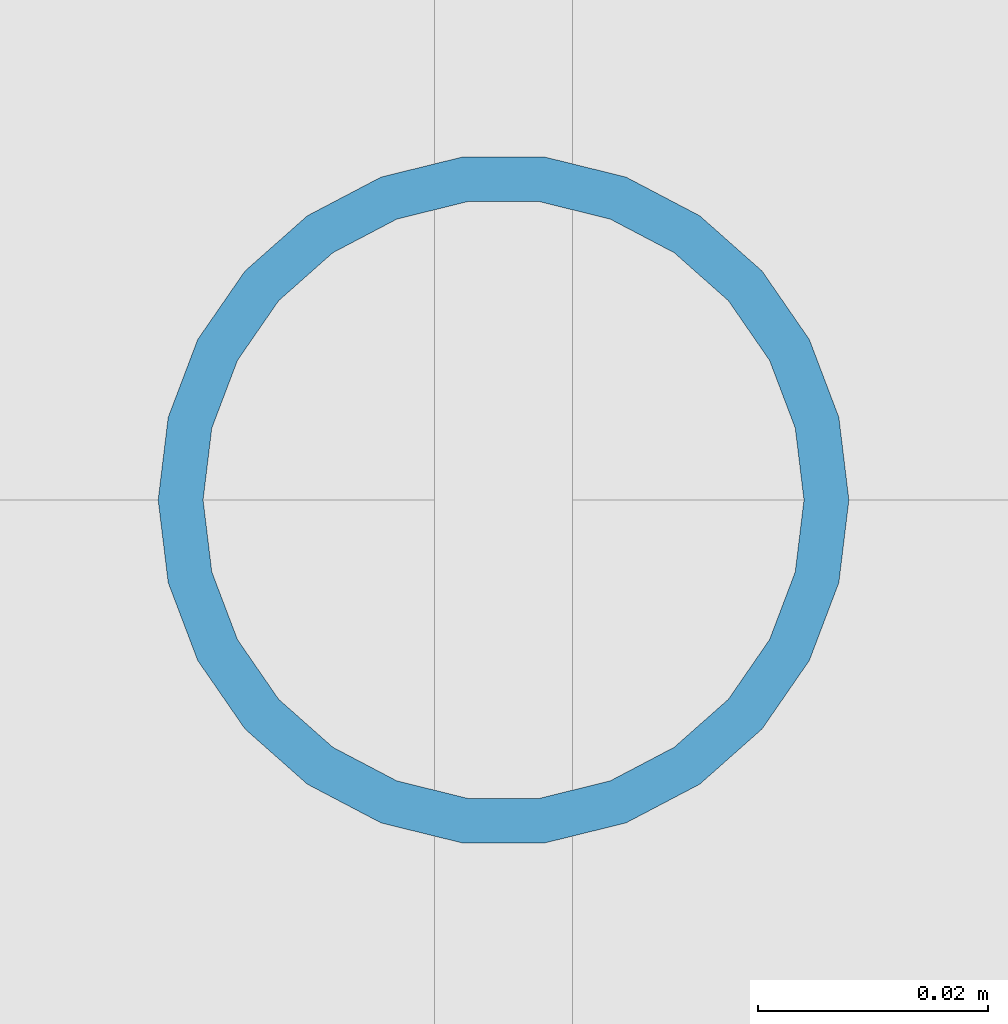
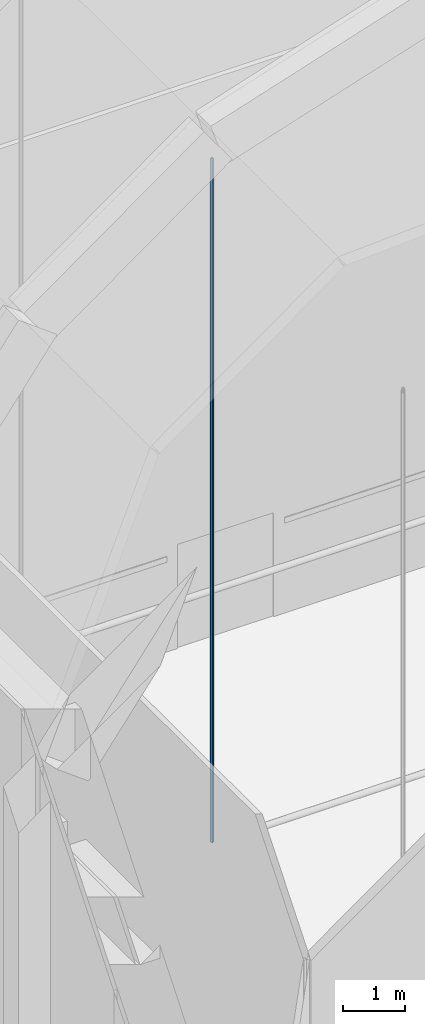
# One storey, part 16 of 55: 1 member.
"""IFC4 building model written with IfcOpenShell, lengths in metres."""

import ifcopenshell
import ifcopenshell.guid

model = None  # the IFC model being written
_history = None  # IfcOwnerHistory: only IFC2X3 demands one
_inside = {}  # id of a spatial element -> (the spatial element, [elements in it])
_under = {}  # id of a project, library or spatial element -> (it, [spatial elements below it])
_declared = {}  # id of a project -> (the project, [libraries it declares])
_typed = {}  # id of a type object -> (the type object, [elements of that type])
_made_of = {}  # id of a material, layer set ... -> (it, [elements and type objects made of it])


def new_model(schema):
    """Start an empty IFC model of exactly this schema.

    Asked for "IFC4X3", IfcOpenShell would pick the latest addendum, in which some entities
    have other attributes; the version numbers below select the first issue.
    IFC2X3 requires an IfcOwnerHistory on every rooted entity: one is made here for all.
    """
    global model, _history
    if schema == "IFC4X3":
        model = ifcopenshell.file(schema_version=(4, 3, 0, 0))
    else:
        model = ifcopenshell.file(schema=schema)
    _inside.clear()
    _under.clear()
    _declared.clear()
    _typed.clear()
    _made_of.clear()
    _history = None
    if model.schema == "IFC2X3":
        org = make("IfcOrganization", Name="unknown")
        user = make(
            "IfcPersonAndOrganization",
            ThePerson=make("IfcPerson", FamilyName="unknown"),
            TheOrganization=org,
        )
        app = make(
            "IfcApplication",
            ApplicationDeveloper=org,
            Version="unknown",
            ApplicationFullName="unknown",
            ApplicationIdentifier="unknown",
        )
        _history = make(
            "IfcOwnerHistory",
            OwningUser=user,
            OwningApplication=app,
            ChangeAction="ADDED",
            CreationDate=0,
        )
    return model


def make(cls, **values):
    """One entity of the class cls with the attributes given. An attribute that is None is left unset."""
    return model.create_entity(
        cls, **{name: value for name, value in values.items() if value is not None}
    )


def rooted(cls, **values):
    """An entity with a GlobalId (a new one), such as an element, a storey or a relation."""
    return make(cls, GlobalId=ifcopenshell.guid.new(), OwnerHistory=_history, **values)


def si_unit(unit_type, name, prefix=None):
    """IfcSIUnit, for example si_unit("LENGTHUNIT", "METRE", prefix="MILLI")."""
    return make("IfcSIUnit", UnitType=unit_type, Prefix=prefix, Name=name)


def assignment(units):
    """IfcUnitAssignment: the units of a project."""
    return None if units is None else make("IfcUnitAssignment", Units=units)


def point(xyz):
    """IfcCartesianPoint."""
    return None if xyz is None else make("IfcCartesianPoint", Coordinates=xyz)


def direction(xyz):
    """IfcDirection."""
    return None if xyz is None else make("IfcDirection", DirectionRatios=xyz)


def frame(location, z_axis=None, x_axis=None):
    """IfcAxis2Placement3D, a coordinate frame: its origin and axes. An axis left out is left unset."""
    return make(
        "IfcAxis2Placement3D",
        Location=point(location),
        Axis=direction(z_axis),
        RefDirection=direction(x_axis),
    )


def frame_2d(location, x_axis=None):
    """IfcAxis2Placement2D, a coordinate frame in the plane: its origin and x axis."""
    return make(
        "IfcAxis2Placement2D", Location=point(location), RefDirection=direction(x_axis)
    )


def origin():
    """The frame at (0, 0, 0) with its axes left unset."""
    return frame((0.0, 0.0, 0.0))


def origin_2d():
    """The frame at (0, 0) in the plane with its x axis left unset."""
    return frame_2d((0.0, 0.0))


def place(relative_to, where):
    """IfcLocalPlacement: puts the frame where relative to a parent placement (None: the world)."""
    return make(
        "IfcLocalPlacement", PlacementRelTo=relative_to, RelativePlacement=where
    )


def context(
    kind, dimensions, precision=None, world=None, true_north=None, identifier=None
):
    """IfcGeometricRepresentationContext, for example the 3D "Model" context."""
    return make(
        "IfcGeometricRepresentationContext",
        ContextIdentifier=identifier,
        ContextType=kind,
        CoordinateSpaceDimension=dimensions,
        Precision=precision,
        WorldCoordinateSystem=world,
        TrueNorth=true_north,
    )


def subcontext(parent, identifier, kind, view, scale=None):
    """IfcGeometricRepresentationSubContext, for example "Body" below "Model"."""
    return make(
        "IfcGeometricRepresentationSubContext",
        ContextIdentifier=identifier,
        ContextType=kind,
        ParentContext=parent,
        TargetScale=scale,
        TargetView=view,
    )


def project(units=None, contexts=None):
    """IfcProject with its units and contexts."""
    return rooted(
        "IfcProject",
        Name="project",
        RepresentationContexts=contexts,
        UnitsInContext=assignment(units),
    )


def spatial(cls, under=None, at=None, **own):
    """A site, building, storey or space (cls), placed at a placement, below another one or the project."""
    s = rooted(cls, ObjectPlacement=at, **own)
    if under is not None:
        _under.setdefault(under.id(), (under, []))[1].append(s)
    return s


def profile(cls, at=None, kind="AREA", **sizes):
    """A parametric profile (cls). Its sizes go by their IFC names, for example OverallWidth=200.0."""
    return make(cls, ProfileType=kind, Position=at, **sizes)


def hollow_circle(**sizes):
    """IfcCircleHollowProfileDef."""
    return profile("IfcCircleHollowProfileDef", **sizes)


def extrude(swept, where, along, depth):
    """IfcExtrudedAreaSolid: the profile swept, set in the frame where, extruded along a direction by depth."""
    return make(
        "IfcExtrudedAreaSolid",
        SweptArea=swept,
        Position=where,
        ExtrudedDirection=direction(along),
        Depth=depth,
    )


def shape(context_of_items, identifier, shape_type, items):
    """IfcShapeRepresentation: the items that make up one representation, for example the "Body"."""
    return make(
        "IfcShapeRepresentation",
        ContextOfItems=context_of_items,
        RepresentationIdentifier=identifier,
        RepresentationType=shape_type,
        Items=items,
    )


def material(Name=None, Category=None):
    """IfcMaterial."""
    return make("IfcMaterial", Name=Name, Category=Category)


def material_profile(
    of_material, cross_section, Name=None, Category=None, Priority=None
):
    """IfcMaterialProfile: a cross section and its material."""
    return make(
        "IfcMaterialProfile",
        Name=Name,
        Material=of_material,
        Profile=cross_section,
        Priority=Priority,
        Category=Category,
    )


def profile_set(profiles, Name=None, composite=None):
    """IfcMaterialProfileSet."""
    return make(
        "IfcMaterialProfileSet",
        Name=Name,
        MaterialProfiles=profiles,
        CompositeProfile=composite,
    )


def made_of(thing, what):
    """Note that an element or type object is made of a material, layer set ...; save() writes the relation."""
    if what is not None:
        _made_of.setdefault(what.id(), (what, []))[1].append(thing)
    return thing


def type_object(cls, material=None, **own):
    """A type object (cls), such as IfcWallType, which elements share."""
    return made_of(rooted(cls, **own), material)


def element(
    cls,
    number,
    at=None,
    inside=None,
    cuts=None,
    type_object=None,
    material=None,
    context=None,
    identifier="Body",
    shape_type=None,
    held_by="IfcProductDefinitionShape",
    body=None,
    shapes=None,
    **own,
):
    """One element of the class cls, such as IfcWall. Its Tag is "e" and its number.

    at: its placement. inside: the storey or other place that contains it. cuts: it is an
    opening in that element (IfcRelVoidsElement). A single representation is given by context,
    identifier, shape_type and body (its items); several are given by shapes. held_by: the class
    of the entity that holds the representations. save() writes the other relations.
    """
    e = rooted(cls, Tag="e%d" % number, ObjectPlacement=at, **own)
    if body is not None:
        shapes = [shape(context, identifier, shape_type, body)]
    if shapes is not None:
        e.Representation = make(held_by, Representations=shapes)
    if inside is not None:
        _inside.setdefault(inside.id(), (inside, []))[1].append(e)
    if cuts is not None:
        rooted(
            "IfcRelVoidsElement", RelatingBuildingElement=cuts, RelatedOpeningElement=e
        )
    if type_object is not None:
        _typed.setdefault(type_object.id(), (type_object, []))[1].append(e)
    return made_of(e, material)


def aggregate(whole, parts):
    """IfcRelAggregates: a whole, such as a stair, and the parts it consists of."""
    return rooted("IfcRelAggregates", RelatingObject=whole, RelatedObjects=parts)


def save(model, path):
    """Write the relations noted so far, then the file.

    IfcRelAggregates (storeys below a building ...), IfcRelContainedInSpatialStructure (elements
    in a storey), IfcRelDefinesByType, IfcRelAssociatesMaterial and IfcRelDeclares: one each for
    every whole, place, type object, material and project.
    """
    for whole, parts in _under.values():
        aggregate(whole, parts)
    for where, things in _inside.values():
        rooted(
            "IfcRelContainedInSpatialStructure",
            RelatedElements=things,
            RelatingStructure=where,
        )
    for kind, things in _typed.values():
        rooted("IfcRelDefinesByType", RelatedObjects=things, RelatingType=kind)
    for what, things in _made_of.values():
        rooted("IfcRelAssociatesMaterial", RelatedObjects=things, RelatingMaterial=what)
    for by, libraries in _declared.values():
        rooted("IfcRelDeclares", RelatingContext=by, RelatedDefinitions=libraries)
    model.write(path)


model = new_model("IFC4")

# Units and contexts
model_context = context("Model", 3, precision=1e-05, world=origin(), true_north=direction((0.0, 1.0)))
body_context = subcontext(model_context, "Body", "Model", "MODEL_VIEW")
ifc_project = project(units=[si_unit("LENGTHUNIT", "METRE"), si_unit("AREAUNIT", "SQUARE_METRE"), si_unit("VOLUMEUNIT", "CUBIC_METRE"), si_unit("PLANEANGLEUNIT", "RADIAN"), si_unit("MASSUNIT", "GRAM", prefix="KILO")], contexts=[model_context])

# Site, building, storey
site_placement = place(None, origin())
site = spatial("IfcSite", under=ifc_project, at=site_placement, CompositionType="ELEMENT")
building_placement = place(site_placement, origin())
building = spatial("IfcBuilding", under=site, at=building_placement, Name="Lunette Opera House", CompositionType="ELEMENT")
storey_placement = place(building_placement, frame((0.0, 0.0, 34.0)))
storey = spatial("IfcBuildingStorey", under=building, at=storey_placement, Name="L06", CompositionType="ELEMENT", Elevation=34.0)

# Member
ifc_material = material(Name="Steel S355", Category="steel")
ifc_material_profile = material_profile(ifc_material, hollow_circle(Radius=0.030029296875, WallThickness=0.00390625, at=origin_2d()), Name="CHS 60.3X4")
ifc_profile_set = profile_set([ifc_material_profile], Name="Steel S355")
member_type = type_object("IfcMemberType", Name="CHS 60.3X4", PredefinedType="POST", material=ifc_profile_set)
member_placement = place(storey_placement, frame((90.0, 108.0, 4.030029296875), z_axis=(0.0, 0.0, 1.0), x_axis=(1.0, 0.0, 0.0)))
element("IfcMember", 1, at=member_placement, inside=storey, type_object=member_type, Name="mem-ST-L06-TH3-90", PredefinedType="POST", context=body_context, shape_type="SweptSolid", body=[
    extrude(hollow_circle(Radius=0.030029296875, WallThickness=0.00390625, at=origin_2d()), origin(), (0.0, 0.0, 1.0), 13.5390625),
])

save(model, "model.ifc")
